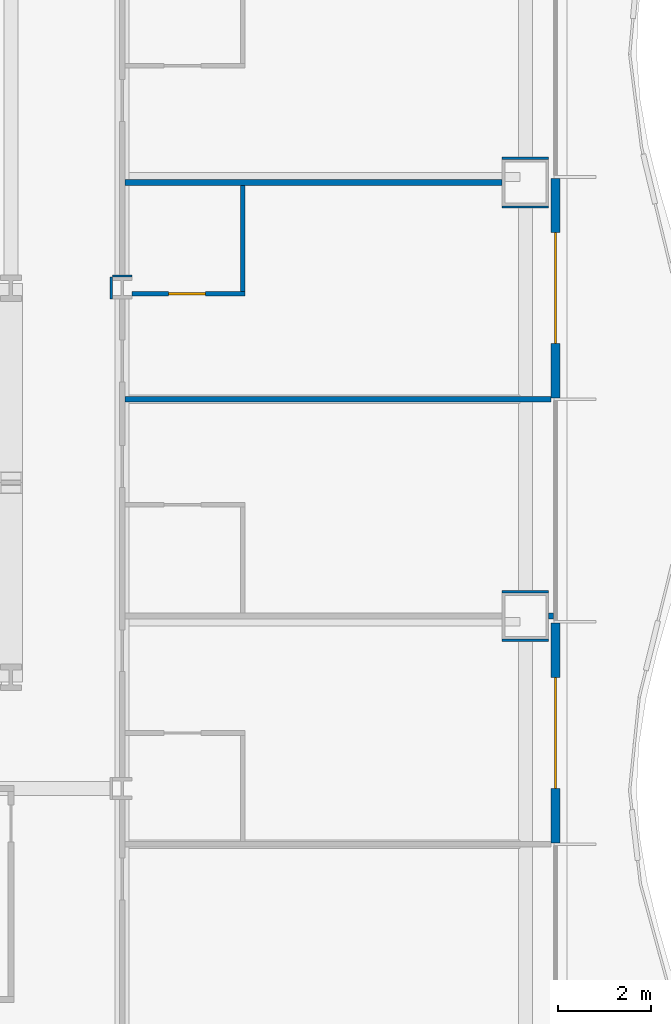
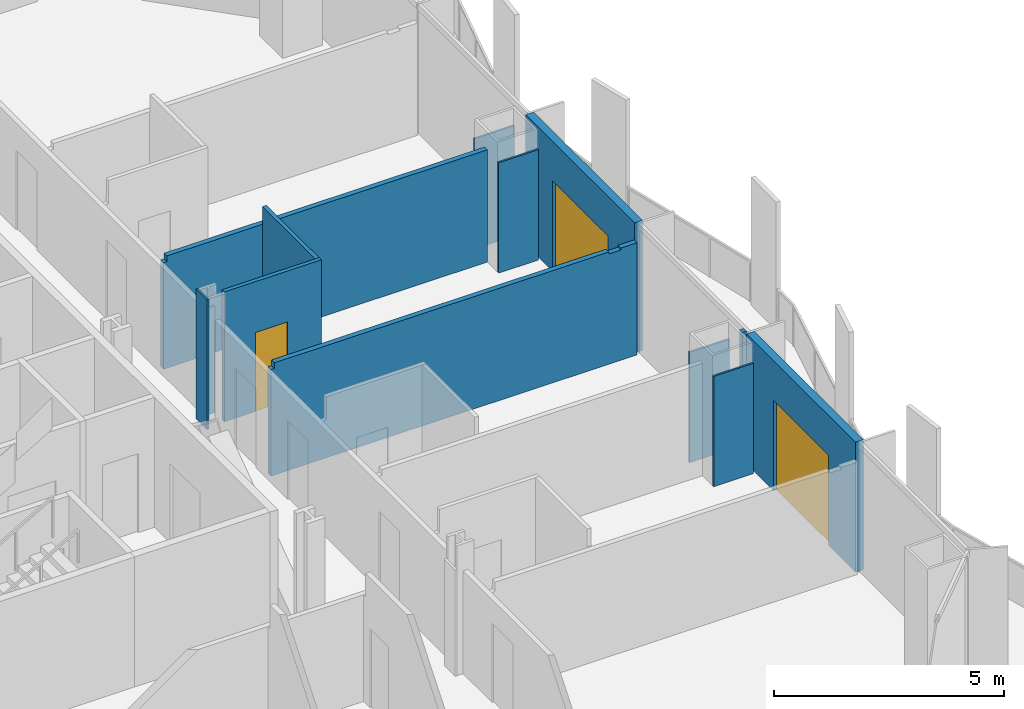
# One storey, part 11 of 21: 13 walls, 3 doors, 3 openings.
"""IFC4 building model written with IfcOpenShell, lengths in metres."""

from ifc_helpers import new_model, si_unit, direction, frame, frame_2d, origin, place, context, subcontext, project, spatial, polyline, rectangle, outline, extrude, material, layer, layer_set, type_object, element, fill, save


model = new_model("IFC4")

# Units and contexts
model_context = context("Model", 3, precision=1e-05, world=origin(), true_north=direction((0.0, 1.0)))
body_context = subcontext(model_context, "Body", "Model", "MODEL_VIEW")
ifc_project = project(units=[si_unit("LENGTHUNIT", "METRE"), si_unit("AREAUNIT", "SQUARE_METRE"), si_unit("VOLUMEUNIT", "CUBIC_METRE"), si_unit("PLANEANGLEUNIT", "RADIAN"), si_unit("MASSUNIT", "GRAM", prefix="KILO")], contexts=[model_context])

# Site, building, storey
site_placement = place(None, origin())
site = spatial("IfcSite", under=ifc_project, at=site_placement, CompositionType="ELEMENT")
building_placement = place(site_placement, origin())
building = spatial("IfcBuilding", under=site, at=building_placement, Name="Cairn Pilgrim Tower", CompositionType="ELEMENT")
storey_placement = place(building_placement, frame((0.0, 0.0, 47.39990234375)))
storey = spatial("IfcBuildingStorey", under=building, at=storey_placement, Name="L09", CompositionType="ELEMENT", Elevation=47.39990234375)

# Wall, opening, door
ifc_material_1 = material(Name="Bronze anodised aluminium insulated sandwich panel with mineral wool fill", Category="aluminium")
ifc_layer_1 = layer(ifc_material_1, 0.199951171875)
ifc_layer_set_1 = layer_set([ifc_layer_1], Name="BRONZE INFILL FRAME WALL 200")
wall_type_1 = type_object("IfcWallType", Name="BRONZE INFILL FRAME WALL 200", PredefinedType="NOTDEFINED", material=ifc_layer_set_1)
wall_1_placement = place(storey_placement, frame((28.550048828125, -9.570068359375, 0.0), z_axis=(0.0, 0.0, 1.0), x_axis=(0.0, 1.0, 0.0)))
wall_1 = element("IfcWall", 1, at=wall_1_placement, inside=storey, type_object=wall_type_1, Name="Bronze infill frame wall IW-E2", PredefinedType="NOTDEFINED", context=body_context, shape_type="SweptSolid", body=[
    extrude(rectangle(XDim=4.739990234375, YDim=0.199951171875, at=frame_2d((2.3701171875, 0.0))), origin(), (0.0, 0.0, 1.0), 3.4501953125),
])
opening_1_placement = place(wall_1_placement, frame((1.169921875, 0.0, 0.0)))
opening_1 = element("IfcOpeningElement", 2, at=opening_1_placement, cuts=wall_1, Name="Opening 0922B", PredefinedType="OPENING", context=body_context, shape_type="SweptSolid", body=[
    extrude(rectangle(XDim=2.39990234375, YDim=2.39990234375, at=frame_2d((1.199951171875, 1.199951171875))), frame((0.0, 0.10986328125, 0.0), z_axis=(0.0, -1.0, 0.0), x_axis=(1.0, 0.0, 0.0)), (0.0, 0.0, 1.0), 0.219970703125),
])
ifc_material_2 = material(Name="Bronze anodised aluminium frame with tinted low-E glass", Category="aluminium")
door_type_1 = type_object("IfcDoorType", Name="BALCONY SLIDING DOOR 2400x2400", OperationType="DOUBLE_DOOR_SLIDING", PredefinedType="DOOR", material=ifc_material_2)
door_1_placement = place(opening_1_placement, origin())
door_1 = element("IfcDoor", 3, at=door_1_placement, inside=storey, type_object=door_type_1, Name="Balcony sliding door 0922B", OperationType="SINGLE_SWING_LEFT", OverallHeight=2.39990234375, OverallWidth=2.39990234375, PredefinedType="DOOR", context=body_context, shape_type="SweptSolid", body=[
    extrude(rectangle(XDim=2.39990234375, YDim=2.39990234375, at=frame_2d((1.199951171875, 1.199951171875))), frame((0.0, 0.02490234375, 0.0), z_axis=(0.0, -1.0, 0.0), x_axis=(1.0, 0.0, 0.0)), (0.0, 0.0, 1.0), 0.050048828125),
])
fill(opening_1, door_1)

wall_2_placement = place(storey_placement, frame((28.550048828125, 0.030029296875, 0.0), z_axis=(0.0, 0.0, 1.0), x_axis=(0.0, 1.0, 0.0)))
wall_2 = element("IfcWall", 4, at=wall_2_placement, inside=storey, type_object=wall_type_1, Name="Bronze infill frame wall IW-E4", PredefinedType="NOTDEFINED", context=body_context, shape_type="SweptSolid", body=[
    extrude(rectangle(XDim=4.739990234375, YDim=0.199951171875, at=frame_2d((2.3701171875, 0.0))), origin(), (0.0, 0.0, 1.0), 3.4501953125),
])
opening_2_placement = place(wall_2_placement, frame((1.169921875, 0.0, 0.0)))
opening_2 = element("IfcOpeningElement", 5, at=opening_2_placement, cuts=wall_2, Name="Opening 0924B", PredefinedType="OPENING", context=body_context, shape_type="SweptSolid", body=[
    extrude(rectangle(XDim=2.39990234375, YDim=2.39990234375, at=frame_2d((1.199951171875, 1.199951171875))), frame((0.0, 0.10986328125, 0.0), z_axis=(0.0, -1.0, 0.0), x_axis=(1.0, 0.0, 0.0)), (0.0, 0.0, 1.0), 0.219970703125),
])
door_2_placement = place(opening_2_placement, origin())
door_2 = element("IfcDoor", 6, at=door_2_placement, inside=storey, type_object=door_type_1, Name="Balcony sliding door 0924B", OperationType="SINGLE_SWING_LEFT", OverallHeight=2.39990234375, OverallWidth=2.39990234375, PredefinedType="DOOR", context=body_context, shape_type="SweptSolid", body=[
    extrude(rectangle(XDim=2.39990234375, YDim=2.39990234375, at=frame_2d((1.199951171875, 1.199951171875))), frame((0.0, 0.02490234375, 0.0), z_axis=(0.0, -1.0, 0.0), x_axis=(1.0, 0.0, 0.0)), (0.0, 0.0, 1.0), 0.050048828125),
])
fill(opening_2, door_2)

ifc_material_3 = material(Name="Gypsum partition")
ifc_layer_2 = layer(ifc_material_3, 0.10009765625)
ifc_layer_set_2 = layer_set([ifc_layer_2], Name="PARTITION 100 DRYWALL")
wall_type_2 = type_object("IfcWallType", Name="PARTITION 100 DRYWALL", PredefinedType="PARTITIONING", material=ifc_layer_set_2)
wall_3_placement = place(storey_placement, frame((19.412109375, 2.27587890625, 0.0), z_axis=(0.0, 0.0, 1.0), x_axis=(1.0, 0.0, 0.0)))
wall_3 = element("IfcWall", 7, at=wall_3_placement, inside=storey, type_object=wall_type_2, Name="PARTITION W057", PredefinedType="PARTITIONING", context=body_context, shape_type="SweptSolid", body=[
    extrude(rectangle(XDim=2.43798828125, YDim=0.10009765625, at=frame_2d((1.218994140625, 0.0))), origin(), (0.0, 0.0, 1.0), 3.4501953125),
])
opening_3_placement = place(wall_3_placement, frame((0.7880859375, 0.0, 0.0)))
opening_3 = element("IfcOpeningElement", 8, at=opening_3_placement, cuts=wall_3, Name="Opening 0924E", PredefinedType="OPENING", context=body_context, shape_type="SweptSolid", body=[
    extrude(rectangle(XDim=0.800048828125, YDim=2.10009765625, at=frame_2d((0.39990234375, 1.050048828125))), frame((0.0, 0.06005859375, 0.0), z_axis=(0.0, -1.0, 0.0), x_axis=(1.0, 0.0, 0.0)), (0.0, 0.0, 1.0), 0.1201171875),
])
ifc_material_4 = material(Name="Timber door leaf", Category="wood")
door_type_2 = type_object("IfcDoorType", Name="DOOR 800x2100", OperationType="NOTDEFINED", PredefinedType="DOOR", material=ifc_material_4)
door_3_placement = place(opening_3_placement, origin())
door_3 = element("IfcDoor", 9, at=door_3_placement, inside=storey, type_object=door_type_2, Name="DOOR 0924E", OperationType="SINGLE_SWING_RIGHT", OverallHeight=2.10009765625, OverallWidth=0.800048828125, PredefinedType="DOOR", context=body_context, shape_type="SweptSolid", body=[
    extrude(rectangle(XDim=0.800048828125, YDim=2.10009765625, at=frame_2d((0.39990234375, 1.050048828125))), frame((0.0, 0.02490234375, 0.0), z_axis=(0.0, -1.0, 0.0), x_axis=(1.0, 0.0, 0.0)), (0.0, 0.0, 1.0), 0.050048828125),
])
fill(opening_3, door_3)

# Walls
wall_4_placement = place(storey_placement, frame((21.800048828125, 2.325927734375, 0.0), z_axis=(0.0, 0.0, 1.0), x_axis=(0.0, 1.0, 0.0)))
element("IfcWall", 10, at=wall_4_placement, inside=storey, type_object=wall_type_2, Name="PARTITION W058", PredefinedType="PARTITIONING", context=body_context, shape_type="SweptSolid", body=[
    extrude(rectangle(XDim=2.28759765625, YDim=0.10009765625, at=frame_2d((1.143798828125, 0.0))), origin(), (0.0, 0.0, 1.0), 3.4501953125),
])
ifc_layer_3 = layer(ifc_material_3, 0.125)
ifc_layer_set_3 = layer_set([ifc_layer_3], Name="PARTITION 125 DRYWALL EI 60")
wall_type_3 = type_object("IfcWallType", Name="PARTITION 125 DRYWALL EI 60", PredefinedType="PARTITIONING", material=ifc_layer_set_3)
wall_5_placement = place(storey_placement, frame((28.39990234375, -4.676025390625, 0.0), z_axis=(0.0, 0.0, 1.0), x_axis=(1.0, 0.0, 0.0)))
element("IfcWall", 11, at=wall_5_placement, inside=storey, type_object=wall_type_3, Name="PARTITION W050", PredefinedType="PARTITIONING", context=body_context, shape_type="SweptSolid", body=[
    extrude(rectangle(XDim=0.10302734375, YDim=0.125, at=frame_2d((0.051513671875, 0.0))), origin(), (0.0, 0.0, 1.0), 3.4501953125),
])
wall_6_placement = place(storey_placement, frame((19.262451171875, 0.0, 0.0), z_axis=(0.0, 0.0, 1.0), x_axis=(1.0, 0.0, 0.0)))
element("IfcWall", 12, at=wall_6_placement, inside=storey, type_object=wall_type_3, Name="PARTITION W056", PredefinedType="PARTITIONING", context=body_context, shape_type="SweptSolid", body=[
    extrude(outline(polyline([(0.0, 0.0), (9.1875, 0.0), (9.1875, 2.97998046875), (8.78759765625, 2.97998046875), (8.785400390625, 2.93017578125), (8.487548828125, 2.93017578125), (8.485595703125, 2.97998046875), (0.08740234375, 2.97998046875), (0.08544921875, 2.830078125), (0.0, 2.830078125), (0.0, 0.0)])), frame((0.0, 0.0625, 0.0), z_axis=(0.0, -1.0, 0.0), x_axis=(1.0, 0.0, 0.0)), (0.0, 0.0, 1.0), 0.125),
])
wall_7_placement = place(storey_placement, frame((19.262451171875, 4.676025390625, 0.0), z_axis=(0.0, 0.0, 1.0), x_axis=(1.0, 0.0, 0.0)))
element("IfcWall", 13, at=wall_7_placement, inside=storey, type_object=wall_type_3, Name="PARTITION W066", PredefinedType="PARTITIONING", context=body_context, shape_type="SweptSolid", body=[
    extrude(outline(polyline([(0.0, 0.0), (8.137451171875, 0.0), (8.137451171875, 2.97998046875), (0.08740234375, 2.97998046875), (0.08544921875, 2.830078125), (0.0, 2.830078125), (0.0, 0.0)])), frame((0.0, 0.0625, 0.0), z_axis=(0.0, -1.0, 0.0), x_axis=(1.0, 0.0, 0.0)), (0.0, 0.0, 1.0), 0.125),
])
ifc_layer_4 = layer(ifc_material_3, 0.050048828125)
ifc_layer_set_4 = layer_set([ifc_layer_4], Name="PARTITION 50 DRYWALL")
wall_type_4 = type_object("IfcWallType", Name="PARTITION 50 DRYWALL", PredefinedType="PARTITIONING", material=ifc_layer_set_4)
wall_8_placement = place(storey_placement, frame((18.988037109375, 2.662109375, 0.0), z_axis=(0.0, 0.0, 1.0), x_axis=(1.0, 0.0, 0.0)))
element("IfcWall", 14, at=wall_8_placement, inside=storey, type_object=wall_type_4, Name="COLUMN CASING WC23", PredefinedType="PARTITIONING", context=body_context, shape_type="SweptSolid", body=[
    extrude(rectangle(XDim=0.424072265625, YDim=0.050048828125, at=frame_2d((0.2119140625, 0.0))), origin(), (0.0, 0.0, 1.0), 2.830078125),
])
ifc_layer_5 = layer(ifc_material_3, 0.050048828125)
ifc_layer_set_5 = layer_set([ifc_layer_5], Name="PARTITION 50 DRYWALL EI 60")
wall_type_5 = type_object("IfcWallType", Name="PARTITION 50 DRYWALL EI 60", PredefinedType="PARTITIONING", material=ifc_layer_set_5)
wall_9_placement = place(storey_placement, frame((18.962890625, 2.1630859375, 0.0), z_axis=(0.0, 0.0, 1.0), x_axis=(0.0, 1.0, 0.0)))
element("IfcWall", 15, at=wall_9_placement, inside=storey, type_object=wall_type_5, Name="COLUMN CASING WC10", PredefinedType="PARTITIONING", context=body_context, shape_type="SweptSolid", body=[
    extrude(rectangle(XDim=0.473876953125, YDim=0.050048828125, at=frame_2d((0.23681640625, 0.0))), origin(), (0.0, 0.0, 1.0), 3.4501953125),
])
for number, where, z_axis, x_axis, name in (
    (16, (27.39990234375, -4.150634765625, 0.0), (0.0, 0.0, 1.0), (1.0, 0.0, 0.0), "COLUMN CASING WC20"),
    (17, (27.39990234375, -5.20068359375, 0.0), (0.0, 0.0, 1.0), (1.0, 0.0, 0.0), "COLUMN CASING WC21"),
    (18, (27.39990234375, 5.20068359375, 0.0), (0.0, 0.0, 1.0), (1.0, 0.0, 0.0), "COLUMN CASING WC29"),
    (19, (27.39990234375, 4.150634765625, 0.0), (0.0, 0.0, 1.0), (1.0, 0.0, 0.0), "COLUMN CASING WC30"),
):
    element("IfcWall", number, at=place(storey_placement, frame(where, z_axis=z_axis, x_axis=x_axis)), inside=storey, type_object=wall_type_5, Name=name, PredefinedType="PARTITIONING", context=body_context, shape_type="SweptSolid", body=[
        extrude(rectangle(XDim=1.0, YDim=0.050048828125, at=frame_2d((0.5, 0.0))), origin(), (0.0, 0.0, 1.0), 2.93017578125),
    ])

save(model, "model.ifc")
